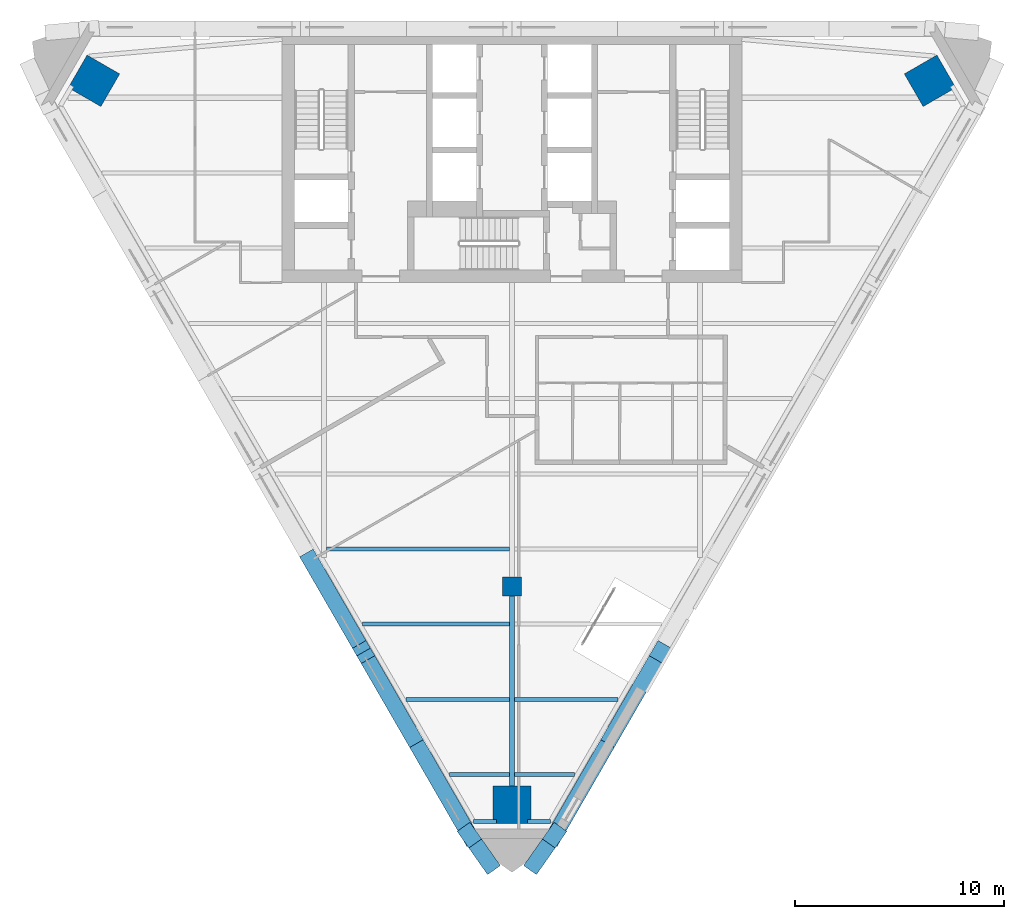
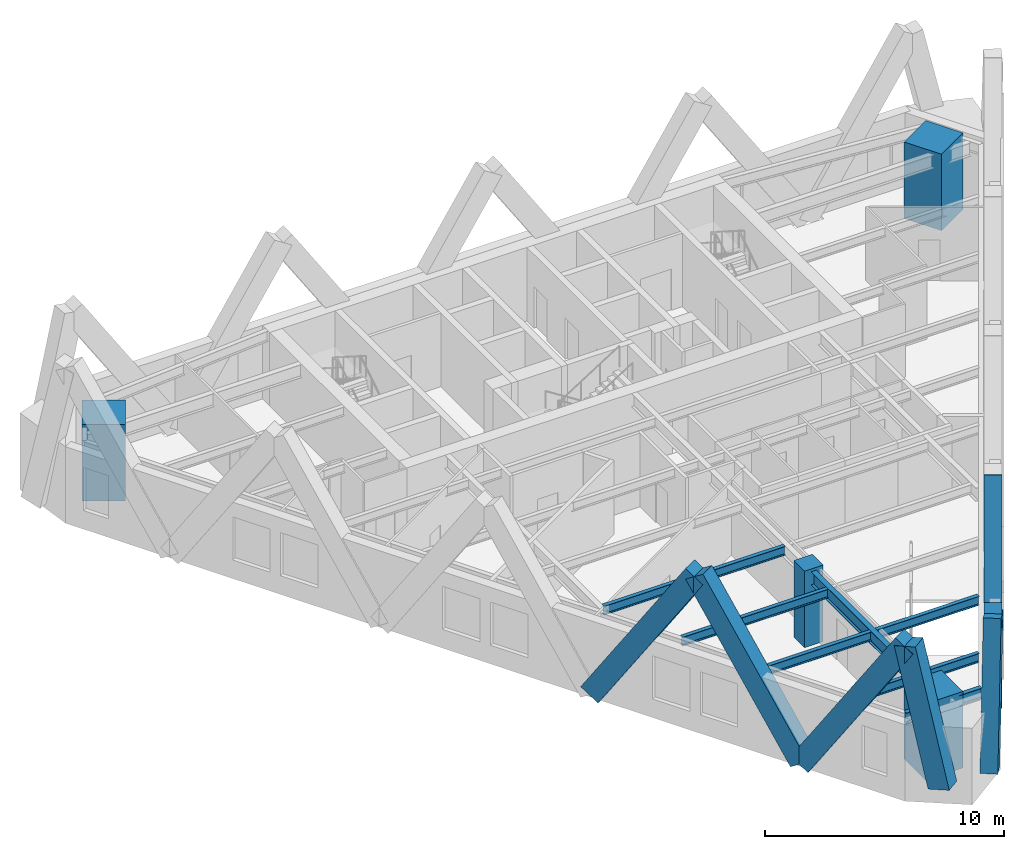
# One storey, part 1 of 11: 9 beams, 7 members, 4 columns.
"""IFC4 building model written with IfcOpenShell, lengths in metres."""

import ifcopenshell
import ifcopenshell.guid

model = None  # the IFC model being written
_history = None  # IfcOwnerHistory: only IFC2X3 demands one
_inside = {}  # id of a spatial element -> (the spatial element, [elements in it])
_under = {}  # id of a project, library or spatial element -> (it, [spatial elements below it])
_declared = {}  # id of a project -> (the project, [libraries it declares])
_typed = {}  # id of a type object -> (the type object, [elements of that type])
_made_of = {}  # id of a material, layer set ... -> (it, [elements and type objects made of it])


def new_model(schema):
    """Start an empty IFC model of exactly this schema.

    Asked for "IFC4X3", IfcOpenShell would pick the latest addendum, in which some entities
    have other attributes; the version numbers below select the first issue.
    IFC2X3 requires an IfcOwnerHistory on every rooted entity: one is made here for all.
    """
    global model, _history
    if schema == "IFC4X3":
        model = ifcopenshell.file(schema_version=(4, 3, 0, 0))
    else:
        model = ifcopenshell.file(schema=schema)
    _inside.clear()
    _under.clear()
    _declared.clear()
    _typed.clear()
    _made_of.clear()
    _history = None
    if model.schema == "IFC2X3":
        org = make("IfcOrganization", Name="unknown")
        user = make(
            "IfcPersonAndOrganization",
            ThePerson=make("IfcPerson", FamilyName="unknown"),
            TheOrganization=org,
        )
        app = make(
            "IfcApplication",
            ApplicationDeveloper=org,
            Version="unknown",
            ApplicationFullName="unknown",
            ApplicationIdentifier="unknown",
        )
        _history = make(
            "IfcOwnerHistory",
            OwningUser=user,
            OwningApplication=app,
            ChangeAction="ADDED",
            CreationDate=0,
        )
    return model


def make(cls, **values):
    """One entity of the class cls with the attributes given. An attribute that is None is left unset."""
    return model.create_entity(
        cls, **{name: value for name, value in values.items() if value is not None}
    )


def rooted(cls, **values):
    """An entity with a GlobalId (a new one), such as an element, a storey or a relation."""
    return make(cls, GlobalId=ifcopenshell.guid.new(), OwnerHistory=_history, **values)


def si_unit(unit_type, name, prefix=None):
    """IfcSIUnit, for example si_unit("LENGTHUNIT", "METRE", prefix="MILLI")."""
    return make("IfcSIUnit", UnitType=unit_type, Prefix=prefix, Name=name)


def assignment(units):
    """IfcUnitAssignment: the units of a project."""
    return None if units is None else make("IfcUnitAssignment", Units=units)


def point(xyz):
    """IfcCartesianPoint."""
    return None if xyz is None else make("IfcCartesianPoint", Coordinates=xyz)


def direction(xyz):
    """IfcDirection."""
    return None if xyz is None else make("IfcDirection", DirectionRatios=xyz)


def frame(location, z_axis=None, x_axis=None):
    """IfcAxis2Placement3D, a coordinate frame: its origin and axes. An axis left out is left unset."""
    return make(
        "IfcAxis2Placement3D",
        Location=point(location),
        Axis=direction(z_axis),
        RefDirection=direction(x_axis),
    )


def frame_2d(location, x_axis=None):
    """IfcAxis2Placement2D, a coordinate frame in the plane: its origin and x axis."""
    return make(
        "IfcAxis2Placement2D", Location=point(location), RefDirection=direction(x_axis)
    )


def origin():
    """The frame at (0, 0, 0) with its axes left unset."""
    return frame((0.0, 0.0, 0.0))


def origin_2d():
    """The frame at (0, 0) in the plane with its x axis left unset."""
    return frame_2d((0.0, 0.0))


def place(relative_to, where):
    """IfcLocalPlacement: puts the frame where relative to a parent placement (None: the world)."""
    return make(
        "IfcLocalPlacement", PlacementRelTo=relative_to, RelativePlacement=where
    )


def context(
    kind, dimensions, precision=None, world=None, true_north=None, identifier=None
):
    """IfcGeometricRepresentationContext, for example the 3D "Model" context."""
    return make(
        "IfcGeometricRepresentationContext",
        ContextIdentifier=identifier,
        ContextType=kind,
        CoordinateSpaceDimension=dimensions,
        Precision=precision,
        WorldCoordinateSystem=world,
        TrueNorth=true_north,
    )


def subcontext(parent, identifier, kind, view, scale=None):
    """IfcGeometricRepresentationSubContext, for example "Body" below "Model"."""
    return make(
        "IfcGeometricRepresentationSubContext",
        ContextIdentifier=identifier,
        ContextType=kind,
        ParentContext=parent,
        TargetScale=scale,
        TargetView=view,
    )


def project(units=None, contexts=None):
    """IfcProject with its units and contexts."""
    return rooted(
        "IfcProject",
        Name="project",
        RepresentationContexts=contexts,
        UnitsInContext=assignment(units),
    )


def spatial(cls, under=None, at=None, **own):
    """A site, building, storey or space (cls), placed at a placement, below another one or the project."""
    s = rooted(cls, ObjectPlacement=at, **own)
    if under is not None:
        _under.setdefault(under.id(), (under, []))[1].append(s)
    return s


def profile(cls, at=None, kind="AREA", **sizes):
    """A parametric profile (cls). Its sizes go by their IFC names, for example OverallWidth=200.0."""
    return make(cls, ProfileType=kind, Position=at, **sizes)


def rectangle(**sizes):
    """IfcRectangleProfileDef."""
    return profile("IfcRectangleProfileDef", **sizes)


def i_section(**sizes):
    """IfcIShapeProfileDef."""
    return profile("IfcIShapeProfileDef", **sizes)


def extrude(swept, where, along, depth):
    """IfcExtrudedAreaSolid: the profile swept, set in the frame where, extruded along a direction by depth."""
    return make(
        "IfcExtrudedAreaSolid",
        SweptArea=swept,
        Position=where,
        ExtrudedDirection=direction(along),
        Depth=depth,
    )


def shape(context_of_items, identifier, shape_type, items):
    """IfcShapeRepresentation: the items that make up one representation, for example the "Body"."""
    return make(
        "IfcShapeRepresentation",
        ContextOfItems=context_of_items,
        RepresentationIdentifier=identifier,
        RepresentationType=shape_type,
        Items=items,
    )


def material(Name=None, Category=None):
    """IfcMaterial."""
    return make("IfcMaterial", Name=Name, Category=Category)


def material_profile(
    of_material, cross_section, Name=None, Category=None, Priority=None
):
    """IfcMaterialProfile: a cross section and its material."""
    return make(
        "IfcMaterialProfile",
        Name=Name,
        Material=of_material,
        Profile=cross_section,
        Priority=Priority,
        Category=Category,
    )


def profile_set(profiles, Name=None, composite=None):
    """IfcMaterialProfileSet."""
    return make(
        "IfcMaterialProfileSet",
        Name=Name,
        MaterialProfiles=profiles,
        CompositeProfile=composite,
    )


def made_of(thing, what):
    """Note that an element or type object is made of a material, layer set ...; save() writes the relation."""
    if what is not None:
        _made_of.setdefault(what.id(), (what, []))[1].append(thing)
    return thing


def type_object(cls, material=None, **own):
    """A type object (cls), such as IfcWallType, which elements share."""
    return made_of(rooted(cls, **own), material)


def element(
    cls,
    number,
    at=None,
    inside=None,
    cuts=None,
    type_object=None,
    material=None,
    context=None,
    identifier="Body",
    shape_type=None,
    held_by="IfcProductDefinitionShape",
    body=None,
    shapes=None,
    **own,
):
    """One element of the class cls, such as IfcWall. Its Tag is "e" and its number.

    at: its placement. inside: the storey or other place that contains it. cuts: it is an
    opening in that element (IfcRelVoidsElement). A single representation is given by context,
    identifier, shape_type and body (its items); several are given by shapes. held_by: the class
    of the entity that holds the representations. save() writes the other relations.
    """
    e = rooted(cls, Tag="e%d" % number, ObjectPlacement=at, **own)
    if body is not None:
        shapes = [shape(context, identifier, shape_type, body)]
    if shapes is not None:
        e.Representation = make(held_by, Representations=shapes)
    if inside is not None:
        _inside.setdefault(inside.id(), (inside, []))[1].append(e)
    if cuts is not None:
        rooted(
            "IfcRelVoidsElement", RelatingBuildingElement=cuts, RelatedOpeningElement=e
        )
    if type_object is not None:
        _typed.setdefault(type_object.id(), (type_object, []))[1].append(e)
    return made_of(e, material)


def aggregate(whole, parts):
    """IfcRelAggregates: a whole, such as a stair, and the parts it consists of."""
    return rooted("IfcRelAggregates", RelatingObject=whole, RelatedObjects=parts)


def save(model, path):
    """Write the relations noted so far, then the file.

    IfcRelAggregates (storeys below a building ...), IfcRelContainedInSpatialStructure (elements
    in a storey), IfcRelDefinesByType, IfcRelAssociatesMaterial and IfcRelDeclares: one each for
    every whole, place, type object, material and project.
    """
    for whole, parts in _under.values():
        aggregate(whole, parts)
    for where, things in _inside.values():
        rooted(
            "IfcRelContainedInSpatialStructure",
            RelatedElements=things,
            RelatingStructure=where,
        )
    for kind, things in _typed.values():
        rooted("IfcRelDefinesByType", RelatedObjects=things, RelatingType=kind)
    for what, things in _made_of.values():
        rooted("IfcRelAssociatesMaterial", RelatedObjects=things, RelatingMaterial=what)
    for by, libraries in _declared.values():
        rooted("IfcRelDeclares", RelatingContext=by, RelatedDefinitions=libraries)
    model.write(path)


model = new_model("IFC4")

# Units and contexts
model_context = context("Model", 3, precision=1e-05, world=origin(), true_north=direction((0.0, 1.0)))
body_context = subcontext(model_context, "Body", "Model", "MODEL_VIEW")
ifc_project = project(units=[si_unit("LENGTHUNIT", "METRE"), si_unit("AREAUNIT", "SQUARE_METRE"), si_unit("VOLUMEUNIT", "CUBIC_METRE"), si_unit("PLANEANGLEUNIT", "RADIAN"), si_unit("MASSUNIT", "GRAM", prefix="KILO")], contexts=[model_context])

# Site, building, storey
site_placement = place(None, origin())
site = spatial("IfcSite", under=ifc_project, at=site_placement, CompositionType="ELEMENT")
building_placement = place(site_placement, origin())
building = spatial("IfcBuilding", under=site, at=building_placement, Name="Aloe Facet Convention Tower", CompositionType="ELEMENT")
storey_placement = place(building_placement, frame((0.0, 0.0, 167.60009765625)))
storey = spatial("IfcBuildingStorey", under=building, at=storey_placement, Name="L42", CompositionType="ELEMENT", Elevation=167.60009765625)

# Columns
ifc_material_1 = material(Name="Concrete C70/85", Category="concrete")
ifc_material_profile_1 = material_profile(ifc_material_1, rectangle(XDim=0.89990234375, YDim=0.89990234375, at=origin_2d()), Name="SF-GC-Z3")
ifc_profile_set_1 = profile_set([ifc_material_profile_1], Name="Concrete C70/85")
column_type_1 = type_object("IfcColumnType", Name="SF-GC-Z3", PredefinedType="COLUMN", material=ifc_profile_set_1)
column_placement = place(storey_placement, frame((80.0, 108.0, 0.0), z_axis=(0.0, 0.0, 1.0), x_axis=(1.0, 0.0, 0.0)))
element("IfcColumn", 1, at=column_placement, inside=storey, type_object=column_type_1, Name="Gravity column GC-Z3-9D", PredefinedType="COLUMN", context=body_context, shape_type="SweptSolid", body=[
    extrude(rectangle(XDim=0.89990234375, YDim=0.89990234375, at=origin_2d()), origin(), (0.0, 0.0, 1.0), 3.89990234375),
])
ifc_material_2 = material(Name="Concrete C80/95", Category="concrete")
ifc_material_profile_2 = material_profile(ifc_material_2, rectangle(XDim=1.800048828125, YDim=1.800048828125, at=origin_2d()), Name="STW-MC-Z3")
ifc_profile_set_2 = profile_set([ifc_material_profile_2], Name="Concrete C80/95")
column_type_2 = type_object("IfcColumnType", Name="STW-MC-Z3", PredefinedType="COLUMN", material=ifc_profile_set_2)
for number, where, z_axis, x_axis, name in (
    (2, (100.00732421875, 132.208251953125, 0.0), (0.0, 0.0, 1.0), (-0.5, 0.866025403784, 0.0), "Mega-column MC-NE-L42"),
    (3, (59.99267578125, 132.208251953125, 0.0), (0.0, 0.0, 1.0), (-0.5, -0.866025403784, 0.0), "Mega-column MC-NW-L42"),
    (4, (80.0, 97.55419921875, 0.0), (0.0, 0.0, 1.0), (1.0, 0.0, 0.0), "Mega-column MC-S-L42"),
):
    element("IfcColumn", number, at=place(storey_placement, frame(where, z_axis=z_axis, x_axis=x_axis)), inside=storey, type_object=column_type_2, Name=name, PredefinedType="COLUMN", context=body_context, shape_type="SweptSolid", body=[
        extrude(rectangle(XDim=1.800048828125, YDim=1.800048828125, at=origin_2d()), origin(), (0.0, 0.0, 1.0), 3.89990234375),
    ])

# Beams
ifc_material_3 = material(Name="Steel S355", Category="steel")
ifc_material_profile_3 = material_profile(ifc_material_3, i_section(OverallWidth=0.19140625, OverallDepth=0.4599609375, WebThickness=0.010009765625, FlangeThickness=0.01611328125, FilletRadius=0.01025390625, at=origin_2d()), Name="UB 457x191x82")
ifc_profile_set_3 = profile_set([ifc_material_profile_3], Name="Steel S355")
beam_type_1 = type_object("IfcBeamType", Name="SF-B-UB457x191x82", PredefinedType="BEAM", material=ifc_profile_set_3)
beam_1_placement = place(storey_placement, frame((71.12646484375, 109.800048828125, 3.52001953125), z_axis=(1.0, 0.0, 0.0), x_axis=(0.0, 1.0, 0.0)))
element("IfcBeam", 5, at=beam_1_placement, inside=storey, type_object=beam_type_1, Name="Floor beam FB-Z3C-020", PredefinedType="BEAM", context=body_context, shape_type="SweptSolid", body=[
    extrude(i_section(OverallWidth=0.19140625, OverallDepth=0.4599609375, WebThickness=0.010009765625, FlangeThickness=0.01611328125, FilletRadius=0.01025390625, at=origin_2d()), origin(), (0.0, 0.0, 1.0), 8.7470703125),
])
beam_2_placement = place(storey_placement, frame((72.844482421875, 106.199951171875, 3.52001953125), z_axis=(1.0, 0.0, 0.0), x_axis=(0.0, 1.0, 0.0)))
element("IfcBeam", 6, at=beam_2_placement, inside=storey, type_object=beam_type_1, Name="Floor beam FB-Z3C-024", PredefinedType="BEAM", context=body_context, shape_type="SweptSolid", body=[
    extrude(i_section(OverallWidth=0.19140625, OverallDepth=0.4599609375, WebThickness=0.010009765625, FlangeThickness=0.01611328125, FilletRadius=0.01025390625, at=origin_2d()), origin(), (0.0, 0.0, 1.0), 7.029052734375),
])
beam_3_placement = place(storey_placement, frame((74.923095703125, 102.60009765625, 3.52001953125), z_axis=(1.0, 0.0, 0.0), x_axis=(0.0, 1.0, 0.0)))
element("IfcBeam", 7, at=beam_3_placement, inside=storey, type_object=beam_type_1, Name="Floor beam FB-Z3C-025", PredefinedType="BEAM", context=body_context, shape_type="SweptSolid", body=[
    extrude(i_section(OverallWidth=0.19140625, OverallDepth=0.4599609375, WebThickness=0.010009765625, FlangeThickness=0.01611328125, FilletRadius=0.01025390625, at=origin_2d()), origin(), (0.0, 0.0, 1.0), 4.950439453125),
])
for number, where, z_axis, x_axis, name in (
    (8, (77.00146484375, 99.0, 3.52001953125), (1.0, 0.0, 0.0), (0.0, 1.0, 0.0), "Floor beam FB-Z3C-026"),
    (9, (80.12646484375, 99.0, 3.52001953125), (1.0, 0.0, 0.0), (0.0, 1.0, 0.0), "Floor beam FB-Z3C-027"),
):
    element("IfcBeam", number, at=place(storey_placement, frame(where, z_axis=z_axis, x_axis=x_axis)), inside=storey, type_object=beam_type_1, Name=name, PredefinedType="BEAM", context=body_context, shape_type="SweptSolid", body=[
        extrude(i_section(OverallWidth=0.19140625, OverallDepth=0.4599609375, WebThickness=0.010009765625, FlangeThickness=0.01611328125, FilletRadius=0.01025390625, at=origin_2d()), origin(), (0.0, 0.0, 1.0), 2.8720703125),
    ])
beam_4_placement = place(storey_placement, frame((80.12646484375, 102.60009765625, 3.52001953125), z_axis=(1.0, 0.0, 0.0), x_axis=(0.0, 1.0, 0.0)))
element("IfcBeam", 10, at=beam_4_placement, inside=storey, type_object=beam_type_1, Name="Floor beam FB-Z3C-028", PredefinedType="BEAM", context=body_context, shape_type="SweptSolid", body=[
    extrude(i_section(OverallWidth=0.19140625, OverallDepth=0.4599609375, WebThickness=0.010009765625, FlangeThickness=0.01611328125, FilletRadius=0.01025390625, at=origin_2d()), origin(), (0.0, 0.0, 1.0), 4.950439453125),
])
ifc_material_4 = material(Name="Steel S355", Category="steel")
ifc_material_profile_4 = material_profile(ifc_material_4, i_section(OverallWidth=0.209228515625, OverallDepth=0.533203125, WebThickness=0.010009765625, FlangeThickness=0.015625, FilletRadius=0.0126953125, at=origin_2d()), Name="UB 533x210x92")
ifc_profile_set_4 = profile_set([ifc_material_profile_4], Name="Steel S355")
beam_type_2 = type_object("IfcBeamType", Name="SF-B-UB533x210x92", PredefinedType="BEAM", material=ifc_profile_set_4)
for number, where, z_axis, x_axis, name in (
    (11, (79.2646484375, 96.7587890625, 3.4833984375), (-1.0, 0.0, 0.0), (0.0, -1.0, 0.0), "Floor beam FB-Z3C-004"),
    (12, (81.83544921875, 96.7587890625, 3.4833984375), (-1.0, 0.0, 0.0), (0.0, -1.0, 0.0), "Floor beam FB-Z3C-005"),
):
    element("IfcBeam", number, at=place(storey_placement, frame(where, z_axis=z_axis, x_axis=x_axis)), inside=storey, type_object=beam_type_2, Name=name, PredefinedType="BEAM", context=body_context, shape_type="SweptSolid", body=[
        extrude(i_section(OverallWidth=0.209228515625, OverallDepth=0.533203125, WebThickness=0.010009765625, FlangeThickness=0.015625, FilletRadius=0.0126953125, at=origin_2d()), origin(), (0.0, 0.0, 1.0), 1.10009765625),
    ])
ifc_material_5 = material(Name="Steel S355", Category="steel")
ifc_material_profile_5 = material_profile(ifc_material_5, i_section(OverallWidth=0.2529296875, OverallDepth=0.677978515625, WebThickness=0.01171875, FlangeThickness=0.01611328125, FilletRadius=0.01513671875, at=origin_2d()), Name="UB 686x254x125")
ifc_profile_set_5 = profile_set([ifc_material_profile_5], Name="Steel S355")
beam_type_3 = type_object("IfcBeamType", Name="SF-B-UB686x254x125", PredefinedType="BEAM", material=ifc_profile_set_5)
beam_5_placement = place(storey_placement, frame((80.0, 107.550048828125, 3.410888671875), z_axis=(0.0, -1.0, 0.0), x_axis=(1.0, 0.0, 0.0)))
element("IfcBeam", 13, at=beam_5_placement, inside=storey, type_object=beam_type_3, Name="Floor beam FB-Z3C-011", PredefinedType="BEAM", context=body_context, shape_type="SweptSolid", body=[
    extrude(i_section(OverallWidth=0.2529296875, OverallDepth=0.677978515625, WebThickness=0.01171875, FlangeThickness=0.01611328125, FilletRadius=0.01513671875, at=origin_2d()), origin(), (0.0, 0.0, 1.0), 10.676513671875),
])

# Members
ifc_material_6 = material(Name="Concrete C60/75, bronze oxide finish", Category="concrete")
ifc_material_profile_6 = material_profile(ifc_material_6, rectangle(XDim=0.75, YDim=1.0, at=origin_2d()), Name="STW-LM")
ifc_profile_set_6 = profile_set([ifc_material_profile_6], Name="Concrete C60/75, bronze oxide finish")
member_type = type_object("IfcMemberType", Name="STW-LM", PredefinedType="BRACE", material=ifc_profile_set_6)
member_placement = place(storey_placement, frame((70.36865234375, 109.25244140625, 0.0), z_axis=(0.27214142074, -0.471363435325, 0.83890140002), x_axis=(0.866025710499, 0.499999468754, 0.0)))
element("IfcMember", 14, at=member_placement, inside=storey, type_object=member_type, Name="Lattice member LM-Z3-F2-R5-06", PredefinedType="BRACE", context=body_context, shape_type="SweptSolid", body=[
    extrude(rectangle(XDim=0.75, YDim=1.0, at=origin_2d()), origin(), (0.0, 0.0, 1.0), 9.297607421875),
])
for number, where, z_axis, x_axis, name in (
    (15, (75.429443359375, 100.487060546875, 0.0), (-0.272162365462, 0.471380490572, 0.83888502188), (-0.866016881694, -0.500014760403, 0.0), "Lattice member LM-Z3-F2-R5-07"),
    (16, (75.429443359375, 100.487060546875, 0.0), (0.272138052355, -0.471383859115, 0.838891016656), (0.866037770685, 0.499978579288, 0.0), "Lattice member LM-Z3-F2-R5-08"),
    (17, (84.570556640625, 100.487060546875, 0.0), (-0.272138052355, -0.471383859115, 0.838891016656), (0.866037770685, -0.499978579288, 0.0), "Lattice member LM-Z3-F3-R5-01"),
    (18, (84.570556640625, 100.487060546875, 0.0), (0.272162365462, 0.471380490572, 0.83888502188), (-0.866016881694, 0.500014760403, 0.0), "Lattice member LM-Z3-F3-R5-02"),
):
    element("IfcMember", number, at=place(storey_placement, frame(where, z_axis=z_axis, x_axis=x_axis)), inside=storey, type_object=member_type, Name=name, PredefinedType="BRACE", context=body_context, shape_type="SweptSolid", body=[
        extrude(rectangle(XDim=0.75, YDim=1.0, at=origin_2d()), origin(), (0.0, 0.0, 1.0), 9.2978515625),
    ])
for number, where, z_axis, x_axis, name in (
    (19, (78.855712890625, 94.829345703125, 0.94921875), (-0.127533478151, 0.1814658918, 0.975092478724), (-0.818155840106, -0.574996540251, 0.0), "Lattice member LM-Z3-F5-R4-05"),
    (20, (81.144287109375, 94.829345703125, 0.94921875), (0.127533478151, 0.1814658918, 0.975092478724), (-0.818155840106, 0.574996540251, 0.0), "Lattice member LM-Z3-F5-R4-06"),
):
    element("IfcMember", number, at=place(storey_placement, frame(where, z_axis=z_axis, x_axis=x_axis)), inside=storey, type_object=member_type, Name=name, PredefinedType="BRACE", context=body_context, shape_type="SweptSolid", body=[
        extrude(rectangle(XDim=0.75, YDim=1.0, at=origin_2d()), origin(), (0.0, 0.0, 1.0), 7.025634765625),
    ])

save(model, "model.ifc")
